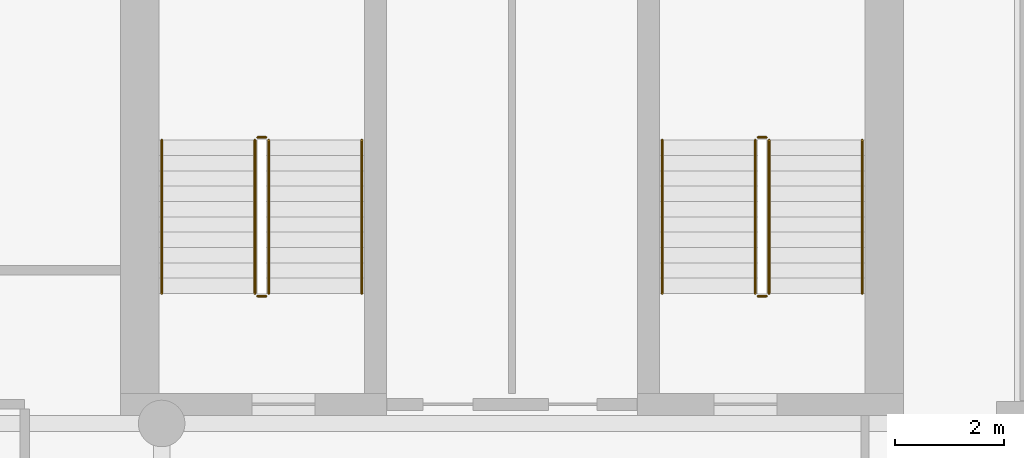
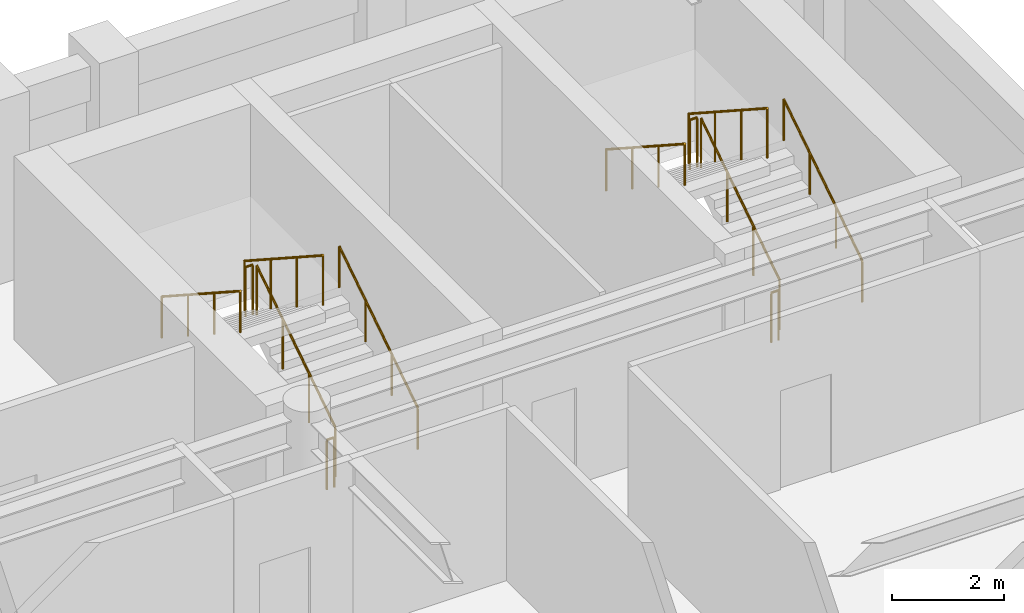
# One storey, part 7 of 7: 12 railings.
"""IFC4 building model written with IfcOpenShell, lengths in metres."""

from ifc_helpers import new_model, si_unit, direction, frame, origin, origin_2d, place, context, subcontext, project, spatial, circle, extrude, material, type_object, element, save


model = new_model("IFC4")

# Units and contexts
model_context = context("Model", 3, precision=1e-05, world=origin(), true_north=direction((0.0, 1.0)))
body_context = subcontext(model_context, "Body", "Model", "MODEL_VIEW")
ifc_project = project(units=[si_unit("LENGTHUNIT", "METRE"), si_unit("AREAUNIT", "SQUARE_METRE"), si_unit("VOLUMEUNIT", "CUBIC_METRE"), si_unit("PLANEANGLEUNIT", "RADIAN"), si_unit("MASSUNIT", "GRAM", prefix="KILO")], contexts=[model_context])

# Site, building, storey
site_placement = place(None, origin())
site = spatial("IfcSite", under=ifc_project, at=site_placement, CompositionType="ELEMENT")
building_placement = place(site_placement, origin())
building = spatial("IfcBuilding", under=site, at=building_placement, Name="Sulina Concourse Tower", CompositionType="ELEMENT")
storey_placement = place(building_placement, frame((0.0, 0.0, 198.60009765625)))
storey = spatial("IfcBuildingStorey", under=building, at=storey_placement, Name="L48", CompositionType="ELEMENT", Elevation=198.60009765625)

# Railings
ifc_material_1 = material(Name="Galvanised steel railing", Category="steel")
railing_type_1 = type_object("IfcRailingType", Name="Core Stair Steel Guardrail 1150mm", PredefinedType="GUARDRAIL", material=ifc_material_1)
railing_1_placement = place(storey_placement, frame((43.554931640625, 36.375, 0.181640625)))
element("IfcRailing", 1, at=railing_1_placement, inside=storey, type_object=railing_type_1, Name="L48 ST-3 stair guard 1", PredefinedType="GUARDRAIL", context=body_context, shape_type="SweptSolid", body=[
    extrude(circle(Radius=0.02392578125, at=origin_2d()), frame((0.0, 0.0, 1.076171875), z_axis=(0.0, 0.838672427954, 0.544636170843), x_axis=(-1.0, 0.0, 0.0)), (0.0, 0.0, 1.0), 3.338623046875),
    extrude(circle(Radius=0.02099609375, at=origin_2d()), origin(), (0.0, 0.0, 1.0), 1.052001953125),
    extrude(circle(Radius=0.02099609375, at=origin_2d()), frame((0.0, 0.933349609375, 0.606201171875)), (0.0, 0.0, 1.0), 1.052001953125),
    extrude(circle(Radius=0.02099609375, at=origin_2d()), frame((0.0, 1.86669921875, 1.212158203125)), (0.0, 0.0, 1.0), 1.052001953125),
    extrude(circle(Radius=0.02099609375, at=origin_2d()), frame((0.0, 2.800048828125, 1.818359375)), (0.0, 0.0, 1.0), 1.052001953125),
])
railing_2_placement = place(storey_placement, frame((43.5048828125, 39.22509765625, 2.0)))
element("IfcRailing", 2, at=railing_2_placement, inside=storey, type_object=railing_type_1, Name="L48 ST-3 stair guard 2", PredefinedType="GUARDRAIL", context=body_context, shape_type="SweptSolid", body=[
    extrude(circle(Radius=0.02392578125, at=origin_2d()), frame((0.0, 0.0, 1.076171875), z_axis=(-1.0, 0.0, 0.0), x_axis=(0.0, -1.0, 0.0)), (0.0, 0.0, 1.0), 0.14990234375),
    extrude(circle(Radius=0.02099609375, at=origin_2d()), origin(), (0.0, 0.0, 1.0), 1.052001953125),
    extrude(circle(Radius=0.02099609375, at=origin_2d()), frame((-0.14990234375, 0.0, 0.0)), (0.0, 0.0, 1.0), 1.052001953125),
])
railing_3_placement = place(storey_placement, frame((43.304931640625, 39.175048828125, 2.181640625)))
element("IfcRailing", 3, at=railing_3_placement, inside=storey, type_object=railing_type_1, Name="L48 ST-3 stair guard 3", PredefinedType="GUARDRAIL", context=body_context, shape_type="SweptSolid", body=[
    extrude(circle(Radius=0.02392578125, at=origin_2d()), frame((0.0, 0.0, 1.076171875), z_axis=(0.0, -0.838672427954, 0.544636170843), x_axis=(1.0, 0.0, 0.0)), (0.0, 0.0, 1.0), 3.338623046875),
    extrude(circle(Radius=0.02099609375, at=origin_2d()), origin(), (0.0, 0.0, 1.0), 1.052001953125),
    extrude(circle(Radius=0.02099609375, at=origin_2d()), frame((0.0, -0.933349609375, 0.606201171875)), (0.0, 0.0, 1.0), 1.052001953125),
    extrude(circle(Radius=0.02099609375, at=origin_2d()), frame((0.0, -1.86669921875, 1.212158203125)), (0.0, 0.0, 1.0), 1.052001953125),
    extrude(circle(Radius=0.02099609375, at=origin_2d()), frame((0.0, -2.800048828125, 1.818359375)), (0.0, 0.0, 1.0), 1.052001953125),
])
railing_4_placement = place(storey_placement, frame((43.5048828125, 36.324951171875, 0.0)))
element("IfcRailing", 4, at=railing_4_placement, inside=storey, type_object=railing_type_1, Name="L48 ST-3 stair guard 4", PredefinedType="GUARDRAIL", context=body_context, shape_type="SweptSolid", body=[
    extrude(circle(Radius=0.02392578125, at=origin_2d()), frame((0.0, 0.0, 1.076171875), z_axis=(-1.0, 0.0, 0.0), x_axis=(0.0, -1.0, 0.0)), (0.0, 0.0, 1.0), 0.14990234375),
    extrude(circle(Radius=0.02099609375, at=origin_2d()), origin(), (0.0, 0.0, 1.0), 1.052001953125),
    extrude(circle(Radius=0.02099609375, at=origin_2d()), frame((-0.14990234375, 0.0, 0.0)), (0.0, 0.0, 1.0), 1.052001953125),
])
railing_5_placement = place(storey_placement, frame((52.695068359375, 36.375, 0.181640625)))
element("IfcRailing", 5, at=railing_5_placement, inside=storey, type_object=railing_type_1, Name="L48 ST-4 stair guard 1", PredefinedType="GUARDRAIL", context=body_context, shape_type="SweptSolid", body=[
    extrude(circle(Radius=0.02392578125, at=origin_2d()), frame((0.0, 0.0, 1.076171875), z_axis=(0.0, 0.838672427954, 0.544636170843), x_axis=(-1.0, 0.0, 0.0)), (0.0, 0.0, 1.0), 3.338623046875),
    extrude(circle(Radius=0.02099609375, at=origin_2d()), origin(), (0.0, 0.0, 1.0), 1.052001953125),
    extrude(circle(Radius=0.02099609375, at=origin_2d()), frame((0.0, 0.933349609375, 0.606201171875)), (0.0, 0.0, 1.0), 1.052001953125),
    extrude(circle(Radius=0.02099609375, at=origin_2d()), frame((0.0, 1.86669921875, 1.212158203125)), (0.0, 0.0, 1.0), 1.052001953125),
    extrude(circle(Radius=0.02099609375, at=origin_2d()), frame((0.0, 2.800048828125, 1.818359375)), (0.0, 0.0, 1.0), 1.052001953125),
])
railing_6_placement = place(storey_placement, frame((52.64501953125, 39.22509765625, 2.0)))
element("IfcRailing", 6, at=railing_6_placement, inside=storey, type_object=railing_type_1, Name="L48 ST-4 stair guard 2", PredefinedType="GUARDRAIL", context=body_context, shape_type="SweptSolid", body=[
    extrude(circle(Radius=0.02392578125, at=origin_2d()), frame((0.0, 0.0, 1.076171875), z_axis=(-1.0, 0.0, 0.0), x_axis=(0.0, -1.0, 0.0)), (0.0, 0.0, 1.0), 0.14990234375),
    extrude(circle(Radius=0.02099609375, at=origin_2d()), origin(), (0.0, 0.0, 1.0), 1.052001953125),
    extrude(circle(Radius=0.02099609375, at=origin_2d()), frame((-0.14990234375, 0.0, 0.0)), (0.0, 0.0, 1.0), 1.052001953125),
])
railing_7_placement = place(storey_placement, frame((52.445068359375, 39.175048828125, 2.181640625)))
element("IfcRailing", 7, at=railing_7_placement, inside=storey, type_object=railing_type_1, Name="L48 ST-4 stair guard 3", PredefinedType="GUARDRAIL", context=body_context, shape_type="SweptSolid", body=[
    extrude(circle(Radius=0.02392578125, at=origin_2d()), frame((0.0, 0.0, 1.076171875), z_axis=(0.0, -0.838672427954, 0.544636170843), x_axis=(1.0, 0.0, 0.0)), (0.0, 0.0, 1.0), 3.338623046875),
    extrude(circle(Radius=0.02099609375, at=origin_2d()), origin(), (0.0, 0.0, 1.0), 1.052001953125),
    extrude(circle(Radius=0.02099609375, at=origin_2d()), frame((0.0, -0.933349609375, 0.606201171875)), (0.0, 0.0, 1.0), 1.052001953125),
    extrude(circle(Radius=0.02099609375, at=origin_2d()), frame((0.0, -1.86669921875, 1.212158203125)), (0.0, 0.0, 1.0), 1.052001953125),
    extrude(circle(Radius=0.02099609375, at=origin_2d()), frame((0.0, -2.800048828125, 1.818359375)), (0.0, 0.0, 1.0), 1.052001953125),
])
railing_8_placement = place(storey_placement, frame((52.64501953125, 36.324951171875, 0.0)))
element("IfcRailing", 8, at=railing_8_placement, inside=storey, type_object=railing_type_1, Name="L48 ST-4 stair guard 4", PredefinedType="GUARDRAIL", context=body_context, shape_type="SweptSolid", body=[
    extrude(circle(Radius=0.02392578125, at=origin_2d()), frame((0.0, 0.0, 1.076171875), z_axis=(-1.0, 0.0, 0.0), x_axis=(0.0, -1.0, 0.0)), (0.0, 0.0, 1.0), 0.14990234375),
    extrude(circle(Radius=0.02099609375, at=origin_2d()), origin(), (0.0, 0.0, 1.0), 1.052001953125),
    extrude(circle(Radius=0.02099609375, at=origin_2d()), frame((-0.14990234375, 0.0, 0.0)), (0.0, 0.0, 1.0), 1.052001953125),
])
ifc_material_2 = material(Name="Galvanised steel railing", Category="steel")
railing_type_2 = type_object("IfcRailingType", Name="Stair Wall Steel Handrail 920mm", PredefinedType="HANDRAIL", material=ifc_material_2)
railing_9_placement = place(storey_placement, frame((45.2548828125, 36.375, 0.181640625)))
element("IfcRailing", 9, at=railing_9_placement, inside=storey, type_object=railing_type_2, Name="L48 ST-3 stair handrail 1", PredefinedType="HANDRAIL", context=body_context, shape_type="SweptSolid", body=[
    extrude(circle(Radius=0.02392578125, at=origin_2d()), frame((0.0, 0.0, 0.89599609375), z_axis=(0.0, 0.838672427954, 0.544636170843), x_axis=(-1.0, 0.0, 0.0)), (0.0, 0.0, 1.0), 3.338623046875),
    extrude(circle(Radius=0.02099609375, at=origin_2d()), origin(), (0.0, 0.0, 1.0), 0.871826171875),
    extrude(circle(Radius=0.02099609375, at=origin_2d()), frame((0.0, 0.933349609375, 0.606201171875)), (0.0, 0.0, 1.0), 0.871826171875),
    extrude(circle(Radius=0.02099609375, at=origin_2d()), frame((0.0, 1.86669921875, 1.212158203125)), (0.0, 0.0, 1.0), 0.871826171875),
    extrude(circle(Radius=0.02099609375, at=origin_2d()), frame((0.0, 2.800048828125, 1.818359375)), (0.0, 0.0, 1.0), 0.871826171875),
])
railing_10_placement = place(storey_placement, frame((41.60498046875, 39.175048828125, 2.181640625)))
element("IfcRailing", 10, at=railing_10_placement, inside=storey, type_object=railing_type_2, Name="L48 ST-3 stair handrail 2", PredefinedType="HANDRAIL", context=body_context, shape_type="SweptSolid", body=[
    extrude(circle(Radius=0.02392578125, at=origin_2d()), frame((0.0, 0.0, 0.89599609375), z_axis=(0.0, -0.838672427954, 0.544636170843), x_axis=(1.0, 0.0, 0.0)), (0.0, 0.0, 1.0), 3.338623046875),
    extrude(circle(Radius=0.02099609375, at=origin_2d()), origin(), (0.0, 0.0, 1.0), 0.871826171875),
    extrude(circle(Radius=0.02099609375, at=origin_2d()), frame((0.0, -0.933349609375, 0.606201171875)), (0.0, 0.0, 1.0), 0.871826171875),
    extrude(circle(Radius=0.02099609375, at=origin_2d()), frame((0.0, -1.86669921875, 1.212158203125)), (0.0, 0.0, 1.0), 0.871826171875),
    extrude(circle(Radius=0.02099609375, at=origin_2d()), frame((0.0, -2.800048828125, 1.818359375)), (0.0, 0.0, 1.0), 0.871826171875),
])
railing_11_placement = place(storey_placement, frame((54.39501953125, 36.375, 0.181640625)))
element("IfcRailing", 11, at=railing_11_placement, inside=storey, type_object=railing_type_2, Name="L48 ST-4 stair handrail 1", PredefinedType="HANDRAIL", context=body_context, shape_type="SweptSolid", body=[
    extrude(circle(Radius=0.02392578125, at=origin_2d()), frame((0.0, 0.0, 0.89599609375), z_axis=(0.0, 0.838672427954, 0.544636170843), x_axis=(-1.0, 0.0, 0.0)), (0.0, 0.0, 1.0), 3.338623046875),
    extrude(circle(Radius=0.02099609375, at=origin_2d()), origin(), (0.0, 0.0, 1.0), 0.871826171875),
    extrude(circle(Radius=0.02099609375, at=origin_2d()), frame((0.0, 0.933349609375, 0.606201171875)), (0.0, 0.0, 1.0), 0.871826171875),
    extrude(circle(Radius=0.02099609375, at=origin_2d()), frame((0.0, 1.86669921875, 1.212158203125)), (0.0, 0.0, 1.0), 0.871826171875),
    extrude(circle(Radius=0.02099609375, at=origin_2d()), frame((0.0, 2.800048828125, 1.818359375)), (0.0, 0.0, 1.0), 0.871826171875),
])
railing_12_placement = place(storey_placement, frame((50.7451171875, 39.175048828125, 2.181640625)))
element("IfcRailing", 12, at=railing_12_placement, inside=storey, type_object=railing_type_2, Name="L48 ST-4 stair handrail 2", PredefinedType="HANDRAIL", context=body_context, shape_type="SweptSolid", body=[
    extrude(circle(Radius=0.02392578125, at=origin_2d()), frame((0.0, 0.0, 0.89599609375), z_axis=(0.0, -0.838672427954, 0.544636170843), x_axis=(1.0, 0.0, 0.0)), (0.0, 0.0, 1.0), 3.338623046875),
    extrude(circle(Radius=0.02099609375, at=origin_2d()), origin(), (0.0, 0.0, 1.0), 0.871826171875),
    extrude(circle(Radius=0.02099609375, at=origin_2d()), frame((0.0, -0.933349609375, 0.606201171875)), (0.0, 0.0, 1.0), 0.871826171875),
    extrude(circle(Radius=0.02099609375, at=origin_2d()), frame((0.0, -1.86669921875, 1.212158203125)), (0.0, 0.0, 1.0), 0.871826171875),
    extrude(circle(Radius=0.02099609375, at=origin_2d()), frame((0.0, -2.800048828125, 1.818359375)), (0.0, 0.0, 1.0), 0.871826171875),
])

save(model, "model.ifc")
